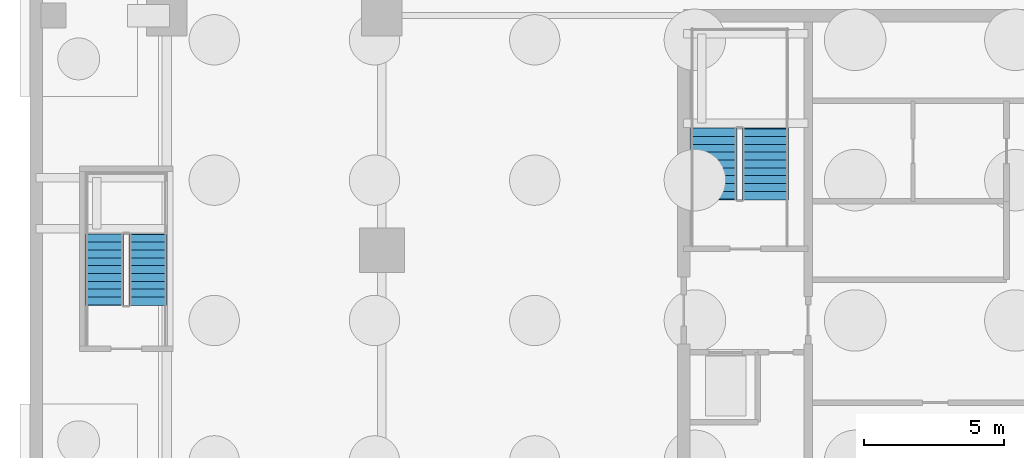
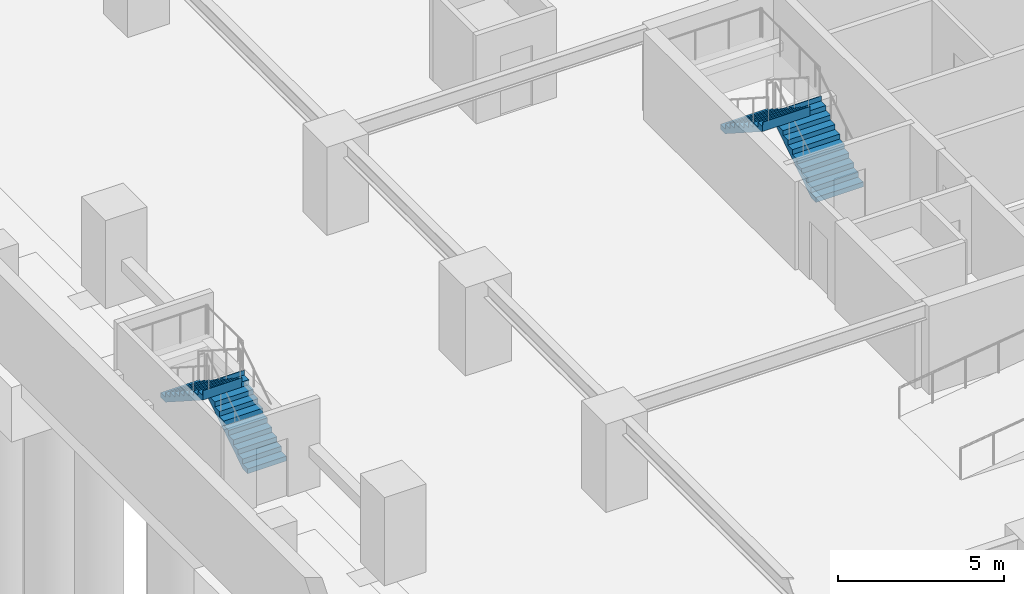
# One storey, part 6 of 12: 4 stair flights, 2 elements without a shape of their own.
"""IFC4 building model written with IfcOpenShell, lengths in metres."""

from ifc_helpers import new_model, si_unit, direction, frame, origin, place, context, subcontext, project, spatial, polygons, material, type_object, element, aggregate, save


model = new_model("IFC4")

# Units and contexts
model_context = context("Model", 3, precision=1e-05, world=origin(), true_north=direction((0.0, 1.0)))
body_context = subcontext(model_context, "Body", "Model", "MODEL_VIEW")
ifc_project = project(units=[si_unit("LENGTHUNIT", "METRE"), si_unit("AREAUNIT", "SQUARE_METRE"), si_unit("VOLUMEUNIT", "CUBIC_METRE"), si_unit("PLANEANGLEUNIT", "RADIAN"), si_unit("MASSUNIT", "GRAM", prefix="KILO")], contexts=[model_context])

# Site, building, storey
site_placement = place(None, origin())
site = spatial("IfcSite", under=ifc_project, at=site_placement, CompositionType="ELEMENT")
building_placement = place(site_placement, origin())
building = spatial("IfcBuilding", under=site, at=building_placement, Name="Serunith Strait Residences", CompositionType="ELEMENT")
storey_placement = place(building_placement, frame((0.0, 0.0, -10.800048828125)))
storey = spatial("IfcBuildingStorey", under=building, at=storey_placement, Name="B03", CompositionType="ELEMENT", Elevation=-10.800048828125)

# Stair, stair flights
ifc_material = material(Name="Concrete C50/60", Category="concrete")
stair_type_1 = type_object("IfcStairType", Name="STR-BSMT-5", PredefinedType="HALF_TURN_STAIR", material=ifc_material)
stair_1_placement = place(storey_placement, origin())
stair_1 = element("IfcStair", 1, at=stair_1_placement, inside=storey, type_object=stair_type_1, Name="B03 Basement Escape Stair ST-5", PredefinedType="HALF_TURN_STAIR")
stair_flight_type_1 = type_object("IfcStairFlightType", Name="FLT-BSMT-5", PredefinedType="STRAIGHT", material=ifc_material)
stair_flight_1_placement = place(storey_placement, frame((4.22509765625, 23.25, 0.0), z_axis=(0.0, 0.0, 1.0), x_axis=(0.0, 1.0, 0.0)))
stair_flight_1 = element("IfcStairFlight", 2, at=stair_flight_1_placement, type_object=stair_flight_type_1, Name="ST-5 flight 1", NumberOfRisers=10, NumberOfTreads=9, PredefinedType="STRAIGHT", RiserHeight=0.18, TreadLength=0.28, context=body_context, shape_type="Tessellation", body=[
    polygons([(-0.02001953125, -0.675048828125, 0.0), (-0.02001953125, -0.675048828125, 0.179931640625), (0.280029296875, -0.675048828125, 0.179931640625), (0.280029296875, -0.675048828125, 0.360107421875), (0.56005859375, -0.675048828125, 0.360107421875), (0.56005859375, -0.675048828125, 0.5400390625), (0.840087890625, -0.675048828125, 0.5400390625), (0.840087890625, -0.675048828125, 0.719970703125), (1.1201171875, -0.675048828125, 0.719970703125), (1.1201171875, -0.675048828125, 0.89990234375), (1.39990234375, -0.675048828125, 0.89990234375), (1.39990234375, -0.675048828125, 1.080078125), (1.679931640625, -0.675048828125, 1.080078125), (1.679931640625, -0.675048828125, 1.260009765625), (1.9599609375, -0.675048828125, 1.260009765625), (1.9599609375, -0.675048828125, 1.43994140625), (2.239990234375, -0.675048828125, 1.43994140625), (2.239990234375, -0.675048828125, 1.6201171875), (2.52001953125, -0.675048828125, 1.6201171875), (2.52001953125, -0.675048828125, 1.800048828125), (2.5400390625, -0.675048828125, 1.800048828125), (2.5400390625, -0.675048828125, 1.739990234375), (2.52001953125, -0.675048828125, 1.44189453125), (0.277099609375, -0.675048828125, 0.0), (-0.02001953125, -0.33740234375, 0.0), (-0.02001953125, -0.33740234375, 0.179931640625), (0.280029296875, -0.33740234375, 0.179931640625), (0.280029296875, -0.33740234375, 0.360107421875), (0.56005859375, -0.33740234375, 0.360107421875), (0.56005859375, -0.33740234375, 0.5400390625), (0.840087890625, -0.33740234375, 0.5400390625), (0.840087890625, -0.33740234375, 0.719970703125), (1.1201171875, -0.33740234375, 0.719970703125), (1.1201171875, -0.33740234375, 0.89990234375), (1.39990234375, -0.33740234375, 0.89990234375), (1.39990234375, -0.33740234375, 1.080078125), (1.679931640625, -0.33740234375, 1.080078125), (1.679931640625, -0.33740234375, 1.260009765625), (1.9599609375, -0.33740234375, 1.260009765625), (1.9599609375, -0.33740234375, 1.43994140625), (2.239990234375, -0.33740234375, 1.43994140625), (2.239990234375, -0.33740234375, 1.6201171875), (2.52001953125, -0.33740234375, 1.6201171875), (2.52001953125, -0.33740234375, 1.800048828125), (2.5400390625, -0.33740234375, 1.800048828125), (2.5400390625, -0.33740234375, 1.739990234375), (2.52001953125, -0.33740234375, 1.44189453125), (0.277099609375, -0.33740234375, 0.0), (-0.02001953125, 0.0, 0.0), (-0.02001953125, 0.0, 0.179931640625), (0.280029296875, 0.0, 0.179931640625), (0.280029296875, 0.0, 0.360107421875), (0.56005859375, 0.0, 0.360107421875), (0.56005859375, 0.0, 0.5400390625), (0.840087890625, 0.0, 0.5400390625), (0.840087890625, 0.0, 0.719970703125), (1.1201171875, 0.0, 0.719970703125), (1.1201171875, 0.0, 0.89990234375), (1.39990234375, 0.0, 0.89990234375), (1.39990234375, 0.0, 1.080078125), (1.679931640625, 0.0, 1.080078125), (1.679931640625, 0.0, 1.260009765625), (1.9599609375, 0.0, 1.260009765625), (1.9599609375, 0.0, 1.43994140625), (2.239990234375, 0.0, 1.43994140625), (2.239990234375, 0.0, 1.6201171875), (2.52001953125, 0.0, 1.6201171875), (2.52001953125, 0.0, 1.800048828125), (2.5400390625, 0.0, 1.800048828125), (2.5400390625, 0.0, 1.739990234375), (2.52001953125, 0.0, 1.44189453125), (0.277099609375, 0.0, 0.0), (-0.02001953125, 0.33740234375, 0.0), (-0.02001953125, 0.33740234375, 0.179931640625), (0.280029296875, 0.33740234375, 0.179931640625), (0.280029296875, 0.33740234375, 0.360107421875), (0.56005859375, 0.33740234375, 0.360107421875), (0.56005859375, 0.33740234375, 0.5400390625), (0.840087890625, 0.33740234375, 0.5400390625), (0.840087890625, 0.33740234375, 0.719970703125), (1.1201171875, 0.33740234375, 0.719970703125), (1.1201171875, 0.33740234375, 0.89990234375), (1.39990234375, 0.33740234375, 0.89990234375), (1.39990234375, 0.33740234375, 1.080078125), (1.679931640625, 0.33740234375, 1.080078125), (1.679931640625, 0.33740234375, 1.260009765625), (1.9599609375, 0.33740234375, 1.260009765625), (1.9599609375, 0.33740234375, 1.43994140625), (2.239990234375, 0.33740234375, 1.43994140625), (2.239990234375, 0.33740234375, 1.6201171875), (2.52001953125, 0.33740234375, 1.6201171875), (2.52001953125, 0.33740234375, 1.800048828125), (2.5400390625, 0.33740234375, 1.800048828125), (2.5400390625, 0.33740234375, 1.739990234375), (2.52001953125, 0.33740234375, 1.44189453125), (0.277099609375, 0.33740234375, 0.0), (-0.02001953125, 0.675048828125, 0.0), (-0.02001953125, 0.675048828125, 0.179931640625), (0.280029296875, 0.675048828125, 0.179931640625), (0.280029296875, 0.675048828125, 0.360107421875), (0.56005859375, 0.675048828125, 0.360107421875), (0.56005859375, 0.675048828125, 0.5400390625), (0.840087890625, 0.675048828125, 0.5400390625), (0.840087890625, 0.675048828125, 0.719970703125), (1.1201171875, 0.675048828125, 0.719970703125), (1.1201171875, 0.675048828125, 0.89990234375), (1.39990234375, 0.675048828125, 0.89990234375), (1.39990234375, 0.675048828125, 1.080078125), (1.679931640625, 0.675048828125, 1.080078125), (1.679931640625, 0.675048828125, 1.260009765625), (1.9599609375, 0.675048828125, 1.260009765625), (1.9599609375, 0.675048828125, 1.43994140625), (2.239990234375, 0.675048828125, 1.43994140625), (2.239990234375, 0.675048828125, 1.6201171875), (2.52001953125, 0.675048828125, 1.6201171875), (2.52001953125, 0.675048828125, 1.800048828125), (2.5400390625, 0.675048828125, 1.800048828125), (2.5400390625, 0.675048828125, 1.739990234375), (2.52001953125, 0.675048828125, 1.44189453125), (0.277099609375, 0.675048828125, 0.0)], [[[1, 2, 26, 25]], [[2, 3, 27, 26]], [[3, 4, 28, 27]], [[4, 5, 29, 28]], [[5, 6, 30, 29]], [[6, 7, 31, 30]], [[7, 8, 32, 31]], [[8, 9, 33, 32]], [[9, 10, 34, 33]], [[10, 11, 35, 34]], [[11, 12, 36, 35]], [[12, 13, 37, 36]], [[13, 14, 38, 37]], [[14, 15, 39, 38]], [[15, 16, 40, 39]], [[16, 17, 41, 40]], [[17, 18, 42, 41]], [[18, 19, 43, 42]], [[19, 20, 44, 43]], [[20, 21, 45, 44]], [[21, 22, 46, 45]], [[22, 23, 47, 46]], [[23, 24, 48, 47]], [[24, 1, 25, 48]], [[25, 26, 50, 49]], [[26, 27, 51, 50]], [[27, 28, 52, 51]], [[28, 29, 53, 52]], [[29, 30, 54, 53]], [[30, 31, 55, 54]], [[31, 32, 56, 55]], [[32, 33, 57, 56]], [[33, 34, 58, 57]], [[34, 35, 59, 58]], [[35, 36, 60, 59]], [[36, 37, 61, 60]], [[37, 38, 62, 61]], [[38, 39, 63, 62]], [[39, 40, 64, 63]], [[40, 41, 65, 64]], [[41, 42, 66, 65]], [[42, 43, 67, 66]], [[43, 44, 68, 67]], [[44, 45, 69, 68]], [[45, 46, 70, 69]], [[46, 47, 71, 70]], [[47, 48, 72, 71]], [[48, 25, 49, 72]], [[49, 50, 74, 73]], [[50, 51, 75, 74]], [[51, 52, 76, 75]], [[52, 53, 77, 76]], [[53, 54, 78, 77]], [[54, 55, 79, 78]], [[55, 56, 80, 79]], [[56, 57, 81, 80]], [[57, 58, 82, 81]], [[58, 59, 83, 82]], [[59, 60, 84, 83]], [[60, 61, 85, 84]], [[61, 62, 86, 85]], [[62, 63, 87, 86]], [[63, 64, 88, 87]], [[64, 65, 89, 88]], [[65, 66, 90, 89]], [[66, 67, 91, 90]], [[67, 68, 92, 91]], [[68, 69, 93, 92]], [[69, 70, 94, 93]], [[70, 71, 95, 94]], [[71, 72, 96, 95]], [[72, 49, 73, 96]], [[73, 74, 98, 97]], [[74, 75, 99, 98]], [[75, 76, 100, 99]], [[76, 77, 101, 100]], [[77, 78, 102, 101]], [[78, 79, 103, 102]], [[79, 80, 104, 103]], [[80, 81, 105, 104]], [[81, 82, 106, 105]], [[82, 83, 107, 106]], [[83, 84, 108, 107]], [[84, 85, 109, 108]], [[85, 86, 110, 109]], [[86, 87, 111, 110]], [[87, 88, 112, 111]], [[88, 89, 113, 112]], [[89, 90, 114, 113]], [[90, 91, 115, 114]], [[91, 92, 116, 115]], [[92, 93, 117, 116]], [[93, 94, 118, 117]], [[94, 95, 119, 118]], [[95, 96, 120, 119]], [[96, 73, 97, 120]], [[24, 23, 22, 21, 20, 19, 18, 17, 16, 15, 14, 13, 12, 11, 10, 9, 8, 7, 6, 5, 4, 3, 2, 1]], [[97, 98, 99, 100, 101, 102, 103, 104, 105, 106, 107, 108, 109, 110, 111, 112, 113, 114, 115, 116, 117, 118, 119, 120]]], closed=True),
])
stair_flight_2_placement = place(storey_placement, frame((2.675048828125, 25.77001953125, 1.800048828125), z_axis=(0.0, 0.0, 1.0), x_axis=(0.0, -1.0, 0.0)))
stair_flight_2 = element("IfcStairFlight", 3, at=stair_flight_2_placement, type_object=stair_flight_type_1, Name="ST-5 flight 2", NumberOfRisers=10, NumberOfTreads=9, PredefinedType="STRAIGHT", RiserHeight=0.18, TreadLength=0.28, context=body_context, shape_type="Tessellation", body=[
    polygons([(-0.02001953125, -0.675048828125, 0.0), (-0.02001953125, -0.675048828125, 0.179931640625), (0.280029296875, -0.675048828125, 0.179931640625), (0.280029296875, -0.675048828125, 0.360107421875), (0.56005859375, -0.675048828125, 0.360107421875), (0.56005859375, -0.675048828125, 0.5400390625), (0.840087890625, -0.675048828125, 0.5400390625), (0.840087890625, -0.675048828125, 0.719970703125), (1.1201171875, -0.675048828125, 0.719970703125), (1.1201171875, -0.675048828125, 0.89990234375), (1.39990234375, -0.675048828125, 0.89990234375), (1.39990234375, -0.675048828125, 1.080078125), (1.679931640625, -0.675048828125, 1.080078125), (1.679931640625, -0.675048828125, 1.260009765625), (1.9599609375, -0.675048828125, 1.260009765625), (1.9599609375, -0.675048828125, 1.43994140625), (2.239990234375, -0.675048828125, 1.43994140625), (2.239990234375, -0.675048828125, 1.6201171875), (2.52001953125, -0.675048828125, 1.6201171875), (2.52001953125, -0.675048828125, 1.800048828125), (2.5400390625, -0.675048828125, 1.800048828125), (2.5400390625, -0.675048828125, 1.739990234375), (2.52001953125, -0.675048828125, 1.44189453125), (0.277099609375, -0.675048828125, 0.0), (-0.02001953125, -0.33740234375, 0.0), (-0.02001953125, -0.33740234375, 0.179931640625), (0.280029296875, -0.33740234375, 0.179931640625), (0.280029296875, -0.33740234375, 0.360107421875), (0.56005859375, -0.33740234375, 0.360107421875), (0.56005859375, -0.33740234375, 0.5400390625), (0.840087890625, -0.33740234375, 0.5400390625), (0.840087890625, -0.33740234375, 0.719970703125), (1.1201171875, -0.33740234375, 0.719970703125), (1.1201171875, -0.33740234375, 0.89990234375), (1.39990234375, -0.33740234375, 0.89990234375), (1.39990234375, -0.33740234375, 1.080078125), (1.679931640625, -0.33740234375, 1.080078125), (1.679931640625, -0.33740234375, 1.260009765625), (1.9599609375, -0.33740234375, 1.260009765625), (1.9599609375, -0.33740234375, 1.43994140625), (2.239990234375, -0.33740234375, 1.43994140625), (2.239990234375, -0.33740234375, 1.6201171875), (2.52001953125, -0.33740234375, 1.6201171875), (2.52001953125, -0.33740234375, 1.800048828125), (2.5400390625, -0.33740234375, 1.800048828125), (2.5400390625, -0.33740234375, 1.739990234375), (2.52001953125, -0.33740234375, 1.44189453125), (0.277099609375, -0.33740234375, 0.0), (-0.02001953125, 0.0, 0.0), (-0.02001953125, 0.0, 0.179931640625), (0.280029296875, 0.0, 0.179931640625), (0.280029296875, 0.0, 0.360107421875), (0.56005859375, 0.0, 0.360107421875), (0.56005859375, 0.0, 0.5400390625), (0.840087890625, 0.0, 0.5400390625), (0.840087890625, 0.0, 0.719970703125), (1.1201171875, 0.0, 0.719970703125), (1.1201171875, 0.0, 0.89990234375), (1.39990234375, 0.0, 0.89990234375), (1.39990234375, 0.0, 1.080078125), (1.679931640625, 0.0, 1.080078125), (1.679931640625, 0.0, 1.260009765625), (1.9599609375, 0.0, 1.260009765625), (1.9599609375, 0.0, 1.43994140625), (2.239990234375, 0.0, 1.43994140625), (2.239990234375, 0.0, 1.6201171875), (2.52001953125, 0.0, 1.6201171875), (2.52001953125, 0.0, 1.800048828125), (2.5400390625, 0.0, 1.800048828125), (2.5400390625, 0.0, 1.739990234375), (2.52001953125, 0.0, 1.44189453125), (0.277099609375, 0.0, 0.0), (-0.02001953125, 0.33740234375, 0.0), (-0.02001953125, 0.33740234375, 0.179931640625), (0.280029296875, 0.33740234375, 0.179931640625), (0.280029296875, 0.33740234375, 0.360107421875), (0.56005859375, 0.33740234375, 0.360107421875), (0.56005859375, 0.33740234375, 0.5400390625), (0.840087890625, 0.33740234375, 0.5400390625), (0.840087890625, 0.33740234375, 0.719970703125), (1.1201171875, 0.33740234375, 0.719970703125), (1.1201171875, 0.33740234375, 0.89990234375), (1.39990234375, 0.33740234375, 0.89990234375), (1.39990234375, 0.33740234375, 1.080078125), (1.679931640625, 0.33740234375, 1.080078125), (1.679931640625, 0.33740234375, 1.260009765625), (1.9599609375, 0.33740234375, 1.260009765625), (1.9599609375, 0.33740234375, 1.43994140625), (2.239990234375, 0.33740234375, 1.43994140625), (2.239990234375, 0.33740234375, 1.6201171875), (2.52001953125, 0.33740234375, 1.6201171875), (2.52001953125, 0.33740234375, 1.800048828125), (2.5400390625, 0.33740234375, 1.800048828125), (2.5400390625, 0.33740234375, 1.739990234375), (2.52001953125, 0.33740234375, 1.44189453125), (0.277099609375, 0.33740234375, 0.0), (-0.02001953125, 0.675048828125, 0.0), (-0.02001953125, 0.675048828125, 0.179931640625), (0.280029296875, 0.675048828125, 0.179931640625), (0.280029296875, 0.675048828125, 0.360107421875), (0.56005859375, 0.675048828125, 0.360107421875), (0.56005859375, 0.675048828125, 0.5400390625), (0.840087890625, 0.675048828125, 0.5400390625), (0.840087890625, 0.675048828125, 0.719970703125), (1.1201171875, 0.675048828125, 0.719970703125), (1.1201171875, 0.675048828125, 0.89990234375), (1.39990234375, 0.675048828125, 0.89990234375), (1.39990234375, 0.675048828125, 1.080078125), (1.679931640625, 0.675048828125, 1.080078125), (1.679931640625, 0.675048828125, 1.260009765625), (1.9599609375, 0.675048828125, 1.260009765625), (1.9599609375, 0.675048828125, 1.43994140625), (2.239990234375, 0.675048828125, 1.43994140625), (2.239990234375, 0.675048828125, 1.6201171875), (2.52001953125, 0.675048828125, 1.6201171875), (2.52001953125, 0.675048828125, 1.800048828125), (2.5400390625, 0.675048828125, 1.800048828125), (2.5400390625, 0.675048828125, 1.739990234375), (2.52001953125, 0.675048828125, 1.44189453125), (0.277099609375, 0.675048828125, 0.0)], [[[1, 2, 26, 25]], [[2, 3, 27, 26]], [[3, 4, 28, 27]], [[4, 5, 29, 28]], [[5, 6, 30, 29]], [[6, 7, 31, 30]], [[7, 8, 32, 31]], [[8, 9, 33, 32]], [[9, 10, 34, 33]], [[10, 11, 35, 34]], [[11, 12, 36, 35]], [[12, 13, 37, 36]], [[13, 14, 38, 37]], [[14, 15, 39, 38]], [[15, 16, 40, 39]], [[16, 17, 41, 40]], [[17, 18, 42, 41]], [[18, 19, 43, 42]], [[19, 20, 44, 43]], [[20, 21, 45, 44]], [[21, 22, 46, 45]], [[22, 23, 47, 46]], [[23, 24, 48, 47]], [[24, 1, 25, 48]], [[25, 26, 50, 49]], [[26, 27, 51, 50]], [[27, 28, 52, 51]], [[28, 29, 53, 52]], [[29, 30, 54, 53]], [[30, 31, 55, 54]], [[31, 32, 56, 55]], [[32, 33, 57, 56]], [[33, 34, 58, 57]], [[34, 35, 59, 58]], [[35, 36, 60, 59]], [[36, 37, 61, 60]], [[37, 38, 62, 61]], [[38, 39, 63, 62]], [[39, 40, 64, 63]], [[40, 41, 65, 64]], [[41, 42, 66, 65]], [[42, 43, 67, 66]], [[43, 44, 68, 67]], [[44, 45, 69, 68]], [[45, 46, 70, 69]], [[46, 47, 71, 70]], [[47, 48, 72, 71]], [[48, 25, 49, 72]], [[49, 50, 74, 73]], [[50, 51, 75, 74]], [[51, 52, 76, 75]], [[52, 53, 77, 76]], [[53, 54, 78, 77]], [[54, 55, 79, 78]], [[55, 56, 80, 79]], [[56, 57, 81, 80]], [[57, 58, 82, 81]], [[58, 59, 83, 82]], [[59, 60, 84, 83]], [[60, 61, 85, 84]], [[61, 62, 86, 85]], [[62, 63, 87, 86]], [[63, 64, 88, 87]], [[64, 65, 89, 88]], [[65, 66, 90, 89]], [[66, 67, 91, 90]], [[67, 68, 92, 91]], [[68, 69, 93, 92]], [[69, 70, 94, 93]], [[70, 71, 95, 94]], [[71, 72, 96, 95]], [[72, 49, 73, 96]], [[73, 74, 98, 97]], [[74, 75, 99, 98]], [[75, 76, 100, 99]], [[76, 77, 101, 100]], [[77, 78, 102, 101]], [[78, 79, 103, 102]], [[79, 80, 104, 103]], [[80, 81, 105, 104]], [[81, 82, 106, 105]], [[82, 83, 107, 106]], [[83, 84, 108, 107]], [[84, 85, 109, 108]], [[85, 86, 110, 109]], [[86, 87, 111, 110]], [[87, 88, 112, 111]], [[88, 89, 113, 112]], [[89, 90, 114, 113]], [[90, 91, 115, 114]], [[91, 92, 116, 115]], [[92, 93, 117, 116]], [[93, 94, 118, 117]], [[94, 95, 119, 118]], [[95, 96, 120, 119]], [[96, 73, 97, 120]], [[24, 23, 22, 21, 20, 19, 18, 17, 16, 15, 14, 13, 12, 11, 10, 9, 8, 7, 6, 5, 4, 3, 2, 1]], [[97, 98, 99, 100, 101, 102, 103, 104, 105, 106, 107, 108, 109, 110, 111, 112, 113, 114, 115, 116, 117, 118, 119, 120]]], closed=True),
])
aggregate(stair_1, [stair_flight_1, stair_flight_2])

stair_type_2 = type_object("IfcStairType", Name="STR-CORE-1", PredefinedType="HALF_TURN_STAIR", material=ifc_material)
stair_2_placement = place(storey_placement, origin())
stair_2 = element("IfcStair", 4, at=stair_2_placement, inside=storey, type_object=stair_type_2, Name="B03 Protected Escape Stair ST-1", PredefinedType="HALF_TURN_STAIR")
stair_flight_type_2 = type_object("IfcStairFlightType", Name="FLT-CORE-1", PredefinedType="STRAIGHT", material=ifc_material)
stair_flight_3_placement = place(storey_placement, frame((26.324951171875, 27.030029296875, 0.0), z_axis=(0.0, 0.0, 1.0), x_axis=(0.0, 1.0, 0.0)))
stair_flight_3 = element("IfcStairFlight", 5, at=stair_flight_3_placement, type_object=stair_flight_type_2, Name="ST-1 flight 1", NumberOfRisers=10, NumberOfTreads=9, PredefinedType="STRAIGHT", RiserHeight=0.18, TreadLength=0.28, context=body_context, shape_type="Tessellation", body=[
    polygons([(-0.02001953125, -0.824951171875, 0.0), (-0.02001953125, -0.824951171875, 0.179931640625), (0.280029296875, -0.824951171875, 0.179931640625), (0.280029296875, -0.824951171875, 0.360107421875), (0.56005859375, -0.824951171875, 0.360107421875), (0.56005859375, -0.824951171875, 0.5400390625), (0.840087890625, -0.824951171875, 0.5400390625), (0.840087890625, -0.824951171875, 0.719970703125), (1.1201171875, -0.824951171875, 0.719970703125), (1.1201171875, -0.824951171875, 0.89990234375), (1.39990234375, -0.824951171875, 0.89990234375), (1.39990234375, -0.824951171875, 1.080078125), (1.679931640625, -0.824951171875, 1.080078125), (1.679931640625, -0.824951171875, 1.260009765625), (1.9599609375, -0.824951171875, 1.260009765625), (1.9599609375, -0.824951171875, 1.43994140625), (2.239990234375, -0.824951171875, 1.43994140625), (2.239990234375, -0.824951171875, 1.6201171875), (2.52001953125, -0.824951171875, 1.6201171875), (2.52001953125, -0.824951171875, 1.800048828125), (2.5400390625, -0.824951171875, 1.800048828125), (2.5400390625, -0.824951171875, 1.739990234375), (2.52001953125, -0.824951171875, 1.44189453125), (0.277099609375, -0.824951171875, 0.0), (-0.02001953125, -0.41259765625, 0.0), (-0.02001953125, -0.41259765625, 0.179931640625), (0.280029296875, -0.41259765625, 0.179931640625), (0.280029296875, -0.41259765625, 0.360107421875), (0.56005859375, -0.41259765625, 0.360107421875), (0.56005859375, -0.41259765625, 0.5400390625), (0.840087890625, -0.41259765625, 0.5400390625), (0.840087890625, -0.41259765625, 0.719970703125), (1.1201171875, -0.41259765625, 0.719970703125), (1.1201171875, -0.41259765625, 0.89990234375), (1.39990234375, -0.41259765625, 0.89990234375), (1.39990234375, -0.41259765625, 1.080078125), (1.679931640625, -0.41259765625, 1.080078125), (1.679931640625, -0.41259765625, 1.260009765625), (1.9599609375, -0.41259765625, 1.260009765625), (1.9599609375, -0.41259765625, 1.43994140625), (2.239990234375, -0.41259765625, 1.43994140625), (2.239990234375, -0.41259765625, 1.6201171875), (2.52001953125, -0.41259765625, 1.6201171875), (2.52001953125, -0.41259765625, 1.800048828125), (2.5400390625, -0.41259765625, 1.800048828125), (2.5400390625, -0.41259765625, 1.739990234375), (2.52001953125, -0.41259765625, 1.44189453125), (0.277099609375, -0.41259765625, 0.0), (-0.02001953125, 0.0, 0.0), (-0.02001953125, 0.0, 0.179931640625), (0.280029296875, 0.0, 0.179931640625), (0.280029296875, 0.0, 0.360107421875), (0.56005859375, 0.0, 0.360107421875), (0.56005859375, 0.0, 0.5400390625), (0.840087890625, 0.0, 0.5400390625), (0.840087890625, 0.0, 0.719970703125), (1.1201171875, 0.0, 0.719970703125), (1.1201171875, 0.0, 0.89990234375), (1.39990234375, 0.0, 0.89990234375), (1.39990234375, 0.0, 1.080078125), (1.679931640625, 0.0, 1.080078125), (1.679931640625, 0.0, 1.260009765625), (1.9599609375, 0.0, 1.260009765625), (1.9599609375, 0.0, 1.43994140625), (2.239990234375, 0.0, 1.43994140625), (2.239990234375, 0.0, 1.6201171875), (2.52001953125, 0.0, 1.6201171875), (2.52001953125, 0.0, 1.800048828125), (2.5400390625, 0.0, 1.800048828125), (2.5400390625, 0.0, 1.739990234375), (2.52001953125, 0.0, 1.44189453125), (0.277099609375, 0.0, 0.0), (-0.02001953125, 0.41259765625, 0.0), (-0.02001953125, 0.41259765625, 0.179931640625), (0.280029296875, 0.41259765625, 0.179931640625), (0.280029296875, 0.41259765625, 0.360107421875), (0.56005859375, 0.41259765625, 0.360107421875), (0.56005859375, 0.41259765625, 0.5400390625), (0.840087890625, 0.41259765625, 0.5400390625), (0.840087890625, 0.41259765625, 0.719970703125), (1.1201171875, 0.41259765625, 0.719970703125), (1.1201171875, 0.41259765625, 0.89990234375), (1.39990234375, 0.41259765625, 0.89990234375), (1.39990234375, 0.41259765625, 1.080078125), (1.679931640625, 0.41259765625, 1.080078125), (1.679931640625, 0.41259765625, 1.260009765625), (1.9599609375, 0.41259765625, 1.260009765625), (1.9599609375, 0.41259765625, 1.43994140625), (2.239990234375, 0.41259765625, 1.43994140625), (2.239990234375, 0.41259765625, 1.6201171875), (2.52001953125, 0.41259765625, 1.6201171875), (2.52001953125, 0.41259765625, 1.800048828125), (2.5400390625, 0.41259765625, 1.800048828125), (2.5400390625, 0.41259765625, 1.739990234375), (2.52001953125, 0.41259765625, 1.44189453125), (0.277099609375, 0.41259765625, 0.0), (-0.02001953125, 0.824951171875, 0.0), (-0.02001953125, 0.824951171875, 0.179931640625), (0.280029296875, 0.824951171875, 0.179931640625), (0.280029296875, 0.824951171875, 0.360107421875), (0.56005859375, 0.824951171875, 0.360107421875), (0.56005859375, 0.824951171875, 0.5400390625), (0.840087890625, 0.824951171875, 0.5400390625), (0.840087890625, 0.824951171875, 0.719970703125), (1.1201171875, 0.824951171875, 0.719970703125), (1.1201171875, 0.824951171875, 0.89990234375), (1.39990234375, 0.824951171875, 0.89990234375), (1.39990234375, 0.824951171875, 1.080078125), (1.679931640625, 0.824951171875, 1.080078125), (1.679931640625, 0.824951171875, 1.260009765625), (1.9599609375, 0.824951171875, 1.260009765625), (1.9599609375, 0.824951171875, 1.43994140625), (2.239990234375, 0.824951171875, 1.43994140625), (2.239990234375, 0.824951171875, 1.6201171875), (2.52001953125, 0.824951171875, 1.6201171875), (2.52001953125, 0.824951171875, 1.800048828125), (2.5400390625, 0.824951171875, 1.800048828125), (2.5400390625, 0.824951171875, 1.739990234375), (2.52001953125, 0.824951171875, 1.44189453125), (0.277099609375, 0.824951171875, 0.0)], [[[1, 2, 26, 25]], [[2, 3, 27, 26]], [[3, 4, 28, 27]], [[4, 5, 29, 28]], [[5, 6, 30, 29]], [[6, 7, 31, 30]], [[7, 8, 32, 31]], [[8, 9, 33, 32]], [[9, 10, 34, 33]], [[10, 11, 35, 34]], [[11, 12, 36, 35]], [[12, 13, 37, 36]], [[13, 14, 38, 37]], [[14, 15, 39, 38]], [[15, 16, 40, 39]], [[16, 17, 41, 40]], [[17, 18, 42, 41]], [[18, 19, 43, 42]], [[19, 20, 44, 43]], [[20, 21, 45, 44]], [[21, 22, 46, 45]], [[22, 23, 47, 46]], [[23, 24, 48, 47]], [[24, 1, 25, 48]], [[25, 26, 50, 49]], [[26, 27, 51, 50]], [[27, 28, 52, 51]], [[28, 29, 53, 52]], [[29, 30, 54, 53]], [[30, 31, 55, 54]], [[31, 32, 56, 55]], [[32, 33, 57, 56]], [[33, 34, 58, 57]], [[34, 35, 59, 58]], [[35, 36, 60, 59]], [[36, 37, 61, 60]], [[37, 38, 62, 61]], [[38, 39, 63, 62]], [[39, 40, 64, 63]], [[40, 41, 65, 64]], [[41, 42, 66, 65]], [[42, 43, 67, 66]], [[43, 44, 68, 67]], [[44, 45, 69, 68]], [[45, 46, 70, 69]], [[46, 47, 71, 70]], [[47, 48, 72, 71]], [[48, 25, 49, 72]], [[49, 50, 74, 73]], [[50, 51, 75, 74]], [[51, 52, 76, 75]], [[52, 53, 77, 76]], [[53, 54, 78, 77]], [[54, 55, 79, 78]], [[55, 56, 80, 79]], [[56, 57, 81, 80]], [[57, 58, 82, 81]], [[58, 59, 83, 82]], [[59, 60, 84, 83]], [[60, 61, 85, 84]], [[61, 62, 86, 85]], [[62, 63, 87, 86]], [[63, 64, 88, 87]], [[64, 65, 89, 88]], [[65, 66, 90, 89]], [[66, 67, 91, 90]], [[67, 68, 92, 91]], [[68, 69, 93, 92]], [[69, 70, 94, 93]], [[70, 71, 95, 94]], [[71, 72, 96, 95]], [[72, 49, 73, 96]], [[73, 74, 98, 97]], [[74, 75, 99, 98]], [[75, 76, 100, 99]], [[76, 77, 101, 100]], [[77, 78, 102, 101]], [[78, 79, 103, 102]], [[79, 80, 104, 103]], [[80, 81, 105, 104]], [[81, 82, 106, 105]], [[82, 83, 107, 106]], [[83, 84, 108, 107]], [[84, 85, 109, 108]], [[85, 86, 110, 109]], [[86, 87, 111, 110]], [[87, 88, 112, 111]], [[88, 89, 113, 112]], [[89, 90, 114, 113]], [[90, 91, 115, 114]], [[91, 92, 116, 115]], [[92, 93, 117, 116]], [[93, 94, 118, 117]], [[94, 95, 119, 118]], [[95, 96, 120, 119]], [[96, 73, 97, 120]], [[24, 23, 22, 21, 20, 19, 18, 17, 16, 15, 14, 13, 12, 11, 10, 9, 8, 7, 6, 5, 4, 3, 2, 1]], [[97, 98, 99, 100, 101, 102, 103, 104, 105, 106, 107, 108, 109, 110, 111, 112, 113, 114, 115, 116, 117, 118, 119, 120]]], closed=True),
])
stair_flight_4_placement = place(storey_placement, frame((24.47509765625, 29.550048828125, 1.800048828125), z_axis=(0.0, 0.0, 1.0), x_axis=(0.0, -1.0, 0.0)))
stair_flight_4 = element("IfcStairFlight", 6, at=stair_flight_4_placement, type_object=stair_flight_type_2, Name="ST-1 flight 2", NumberOfRisers=10, NumberOfTreads=9, PredefinedType="STRAIGHT", RiserHeight=0.18, TreadLength=0.28, context=body_context, shape_type="Tessellation", body=[
    polygons([(-0.02001953125, -0.824951171875, 0.0), (-0.02001953125, -0.824951171875, 0.179931640625), (0.280029296875, -0.824951171875, 0.179931640625), (0.280029296875, -0.824951171875, 0.360107421875), (0.56005859375, -0.824951171875, 0.360107421875), (0.56005859375, -0.824951171875, 0.5400390625), (0.840087890625, -0.824951171875, 0.5400390625), (0.840087890625, -0.824951171875, 0.719970703125), (1.1201171875, -0.824951171875, 0.719970703125), (1.1201171875, -0.824951171875, 0.89990234375), (1.39990234375, -0.824951171875, 0.89990234375), (1.39990234375, -0.824951171875, 1.080078125), (1.679931640625, -0.824951171875, 1.080078125), (1.679931640625, -0.824951171875, 1.260009765625), (1.9599609375, -0.824951171875, 1.260009765625), (1.9599609375, -0.824951171875, 1.43994140625), (2.239990234375, -0.824951171875, 1.43994140625), (2.239990234375, -0.824951171875, 1.6201171875), (2.52001953125, -0.824951171875, 1.6201171875), (2.52001953125, -0.824951171875, 1.800048828125), (2.5400390625, -0.824951171875, 1.800048828125), (2.5400390625, -0.824951171875, 1.739990234375), (2.52001953125, -0.824951171875, 1.44189453125), (0.277099609375, -0.824951171875, 0.0), (-0.02001953125, -0.41259765625, 0.0), (-0.02001953125, -0.41259765625, 0.179931640625), (0.280029296875, -0.41259765625, 0.179931640625), (0.280029296875, -0.41259765625, 0.360107421875), (0.56005859375, -0.41259765625, 0.360107421875), (0.56005859375, -0.41259765625, 0.5400390625), (0.840087890625, -0.41259765625, 0.5400390625), (0.840087890625, -0.41259765625, 0.719970703125), (1.1201171875, -0.41259765625, 0.719970703125), (1.1201171875, -0.41259765625, 0.89990234375), (1.39990234375, -0.41259765625, 0.89990234375), (1.39990234375, -0.41259765625, 1.080078125), (1.679931640625, -0.41259765625, 1.080078125), (1.679931640625, -0.41259765625, 1.260009765625), (1.9599609375, -0.41259765625, 1.260009765625), (1.9599609375, -0.41259765625, 1.43994140625), (2.239990234375, -0.41259765625, 1.43994140625), (2.239990234375, -0.41259765625, 1.6201171875), (2.52001953125, -0.41259765625, 1.6201171875), (2.52001953125, -0.41259765625, 1.800048828125), (2.5400390625, -0.41259765625, 1.800048828125), (2.5400390625, -0.41259765625, 1.739990234375), (2.52001953125, -0.41259765625, 1.44189453125), (0.277099609375, -0.41259765625, 0.0), (-0.02001953125, 0.0, 0.0), (-0.02001953125, 0.0, 0.179931640625), (0.280029296875, 0.0, 0.179931640625), (0.280029296875, 0.0, 0.360107421875), (0.56005859375, 0.0, 0.360107421875), (0.56005859375, 0.0, 0.5400390625), (0.840087890625, 0.0, 0.5400390625), (0.840087890625, 0.0, 0.719970703125), (1.1201171875, 0.0, 0.719970703125), (1.1201171875, 0.0, 0.89990234375), (1.39990234375, 0.0, 0.89990234375), (1.39990234375, 0.0, 1.080078125), (1.679931640625, 0.0, 1.080078125), (1.679931640625, 0.0, 1.260009765625), (1.9599609375, 0.0, 1.260009765625), (1.9599609375, 0.0, 1.43994140625), (2.239990234375, 0.0, 1.43994140625), (2.239990234375, 0.0, 1.6201171875), (2.52001953125, 0.0, 1.6201171875), (2.52001953125, 0.0, 1.800048828125), (2.5400390625, 0.0, 1.800048828125), (2.5400390625, 0.0, 1.739990234375), (2.52001953125, 0.0, 1.44189453125), (0.277099609375, 0.0, 0.0), (-0.02001953125, 0.41259765625, 0.0), (-0.02001953125, 0.41259765625, 0.179931640625), (0.280029296875, 0.41259765625, 0.179931640625), (0.280029296875, 0.41259765625, 0.360107421875), (0.56005859375, 0.41259765625, 0.360107421875), (0.56005859375, 0.41259765625, 0.5400390625), (0.840087890625, 0.41259765625, 0.5400390625), (0.840087890625, 0.41259765625, 0.719970703125), (1.1201171875, 0.41259765625, 0.719970703125), (1.1201171875, 0.41259765625, 0.89990234375), (1.39990234375, 0.41259765625, 0.89990234375), (1.39990234375, 0.41259765625, 1.080078125), (1.679931640625, 0.41259765625, 1.080078125), (1.679931640625, 0.41259765625, 1.260009765625), (1.9599609375, 0.41259765625, 1.260009765625), (1.9599609375, 0.41259765625, 1.43994140625), (2.239990234375, 0.41259765625, 1.43994140625), (2.239990234375, 0.41259765625, 1.6201171875), (2.52001953125, 0.41259765625, 1.6201171875), (2.52001953125, 0.41259765625, 1.800048828125), (2.5400390625, 0.41259765625, 1.800048828125), (2.5400390625, 0.41259765625, 1.739990234375), (2.52001953125, 0.41259765625, 1.44189453125), (0.277099609375, 0.41259765625, 0.0), (-0.02001953125, 0.824951171875, 0.0), (-0.02001953125, 0.824951171875, 0.179931640625), (0.280029296875, 0.824951171875, 0.179931640625), (0.280029296875, 0.824951171875, 0.360107421875), (0.56005859375, 0.824951171875, 0.360107421875), (0.56005859375, 0.824951171875, 0.5400390625), (0.840087890625, 0.824951171875, 0.5400390625), (0.840087890625, 0.824951171875, 0.719970703125), (1.1201171875, 0.824951171875, 0.719970703125), (1.1201171875, 0.824951171875, 0.89990234375), (1.39990234375, 0.824951171875, 0.89990234375), (1.39990234375, 0.824951171875, 1.080078125), (1.679931640625, 0.824951171875, 1.080078125), (1.679931640625, 0.824951171875, 1.260009765625), (1.9599609375, 0.824951171875, 1.260009765625), (1.9599609375, 0.824951171875, 1.43994140625), (2.239990234375, 0.824951171875, 1.43994140625), (2.239990234375, 0.824951171875, 1.6201171875), (2.52001953125, 0.824951171875, 1.6201171875), (2.52001953125, 0.824951171875, 1.800048828125), (2.5400390625, 0.824951171875, 1.800048828125), (2.5400390625, 0.824951171875, 1.739990234375), (2.52001953125, 0.824951171875, 1.44189453125), (0.277099609375, 0.824951171875, 0.0)], [[[1, 2, 26, 25]], [[2, 3, 27, 26]], [[3, 4, 28, 27]], [[4, 5, 29, 28]], [[5, 6, 30, 29]], [[6, 7, 31, 30]], [[7, 8, 32, 31]], [[8, 9, 33, 32]], [[9, 10, 34, 33]], [[10, 11, 35, 34]], [[11, 12, 36, 35]], [[12, 13, 37, 36]], [[13, 14, 38, 37]], [[14, 15, 39, 38]], [[15, 16, 40, 39]], [[16, 17, 41, 40]], [[17, 18, 42, 41]], [[18, 19, 43, 42]], [[19, 20, 44, 43]], [[20, 21, 45, 44]], [[21, 22, 46, 45]], [[22, 23, 47, 46]], [[23, 24, 48, 47]], [[24, 1, 25, 48]], [[25, 26, 50, 49]], [[26, 27, 51, 50]], [[27, 28, 52, 51]], [[28, 29, 53, 52]], [[29, 30, 54, 53]], [[30, 31, 55, 54]], [[31, 32, 56, 55]], [[32, 33, 57, 56]], [[33, 34, 58, 57]], [[34, 35, 59, 58]], [[35, 36, 60, 59]], [[36, 37, 61, 60]], [[37, 38, 62, 61]], [[38, 39, 63, 62]], [[39, 40, 64, 63]], [[40, 41, 65, 64]], [[41, 42, 66, 65]], [[42, 43, 67, 66]], [[43, 44, 68, 67]], [[44, 45, 69, 68]], [[45, 46, 70, 69]], [[46, 47, 71, 70]], [[47, 48, 72, 71]], [[48, 25, 49, 72]], [[49, 50, 74, 73]], [[50, 51, 75, 74]], [[51, 52, 76, 75]], [[52, 53, 77, 76]], [[53, 54, 78, 77]], [[54, 55, 79, 78]], [[55, 56, 80, 79]], [[56, 57, 81, 80]], [[57, 58, 82, 81]], [[58, 59, 83, 82]], [[59, 60, 84, 83]], [[60, 61, 85, 84]], [[61, 62, 86, 85]], [[62, 63, 87, 86]], [[63, 64, 88, 87]], [[64, 65, 89, 88]], [[65, 66, 90, 89]], [[66, 67, 91, 90]], [[67, 68, 92, 91]], [[68, 69, 93, 92]], [[69, 70, 94, 93]], [[70, 71, 95, 94]], [[71, 72, 96, 95]], [[72, 49, 73, 96]], [[73, 74, 98, 97]], [[74, 75, 99, 98]], [[75, 76, 100, 99]], [[76, 77, 101, 100]], [[77, 78, 102, 101]], [[78, 79, 103, 102]], [[79, 80, 104, 103]], [[80, 81, 105, 104]], [[81, 82, 106, 105]], [[82, 83, 107, 106]], [[83, 84, 108, 107]], [[84, 85, 109, 108]], [[85, 86, 110, 109]], [[86, 87, 111, 110]], [[87, 88, 112, 111]], [[88, 89, 113, 112]], [[89, 90, 114, 113]], [[90, 91, 115, 114]], [[91, 92, 116, 115]], [[92, 93, 117, 116]], [[93, 94, 118, 117]], [[94, 95, 119, 118]], [[95, 96, 120, 119]], [[96, 73, 97, 120]], [[24, 23, 22, 21, 20, 19, 18, 17, 16, 15, 14, 13, 12, 11, 10, 9, 8, 7, 6, 5, 4, 3, 2, 1]], [[97, 98, 99, 100, 101, 102, 103, 104, 105, 106, 107, 108, 109, 110, 111, 112, 113, 114, 115, 116, 117, 118, 119, 120]]], closed=True),
])
aggregate(stair_2, [stair_flight_3, stair_flight_4])

save(model, "model.ifc")
